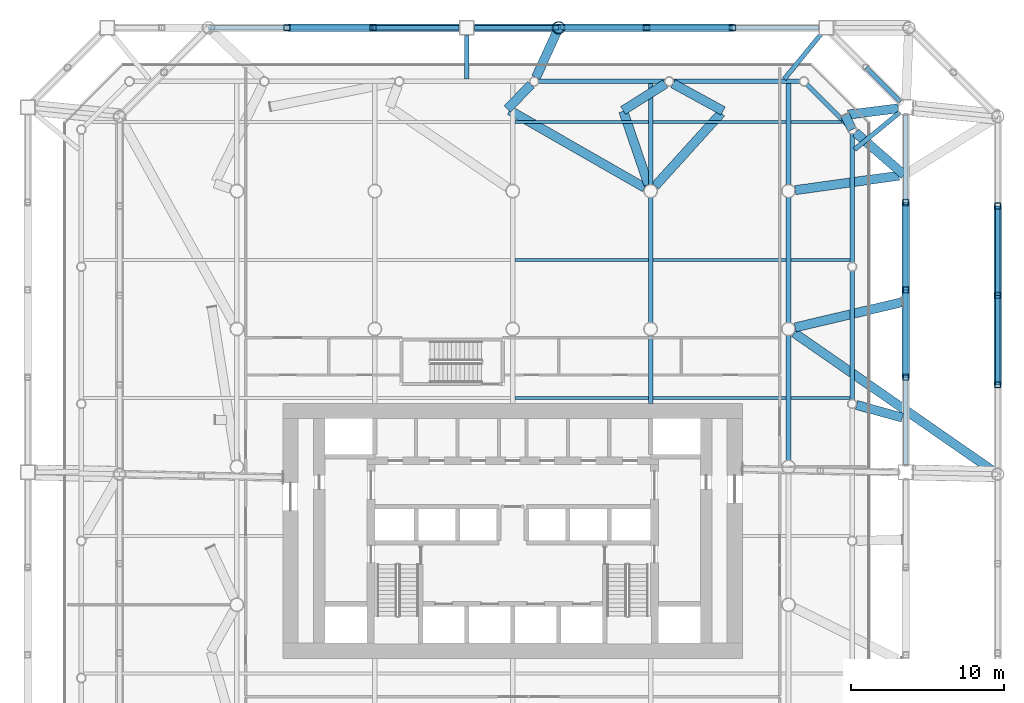
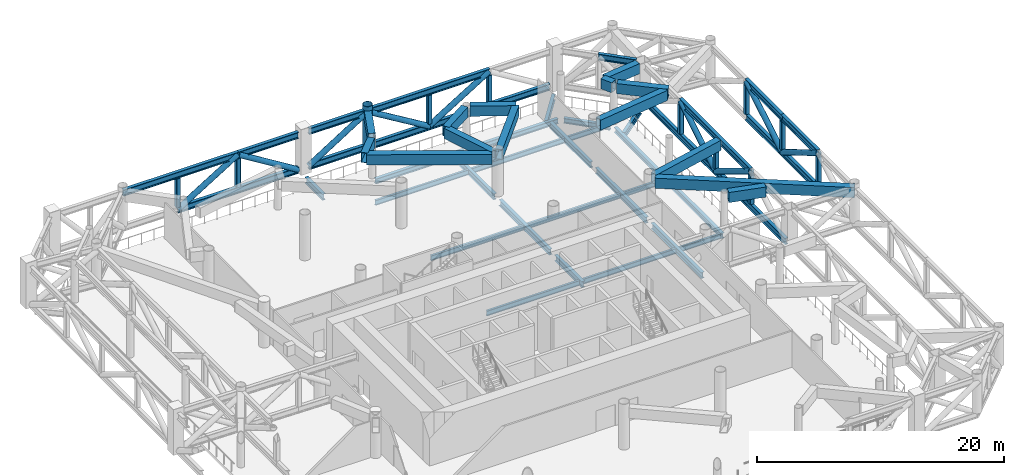
# One storey, part 7 of 22: 52 beams, 20 members.
"""IFC4 building model written with IfcOpenShell, lengths in metres."""

from ifc_helpers import new_model, si_unit, direction, frame, origin, origin_2d, place, context, subcontext, project, spatial, hollow_rectangle, hollow_circle, i_section, extrude, material, material_profile, profile_set, type_object, element, save


model = new_model("IFC4")

# Units and contexts
model_context = context("Model", 3, precision=1e-05, world=origin(), true_north=direction((0.0, 1.0)))
body_context = subcontext(model_context, "Body", "Model", "MODEL_VIEW")
ifc_project = project(units=[si_unit("LENGTHUNIT", "METRE"), si_unit("AREAUNIT", "SQUARE_METRE"), si_unit("VOLUMEUNIT", "CUBIC_METRE"), si_unit("PLANEANGLEUNIT", "RADIAN"), si_unit("MASSUNIT", "GRAM", prefix="KILO")], contexts=[model_context])

# Site, building, storey
site_placement = place(None, origin())
site = spatial("IfcSite", under=ifc_project, at=site_placement, CompositionType="ELEMENT")
building_placement = place(site_placement, origin())
building = spatial("IfcBuilding", under=site, at=building_placement, Name="Tskaro Facet Tower", CompositionType="ELEMENT")
storey_placement = place(building_placement, frame((0.0, 0.0, 57.60009765625)))
storey = spatial("IfcBuildingStorey", under=building, at=storey_placement, Name="L13", CompositionType="ELEMENT", Elevation=57.60009765625)

# Beams
ifc_material_1 = material(Name="Steel S355J2", Category="steel")
ifc_material_profile_1 = material_profile(ifc_material_1, hollow_rectangle(XDim=0.60009765625, YDim=1.0, WallThickness=0.0400390625, at=origin_2d()), Name="BOX 600x1000x40")
ifc_profile_set_1 = profile_set([ifc_material_profile_1], Name="Steel S355J2")
beam_type_1 = type_object("IfcBeamType", Name="BOX 600x1000x40 transfer girder", PredefinedType="BEAM", material=ifc_profile_set_1)
beam_1_placement = place(storey_placement, frame((21.68994140625, 22.965087890625, 3.579833984375), z_axis=(0.440022667065, -0.897986666086, 0.0), x_axis=(0.897986666086, 0.440022667065, 0.0)))
element("IfcBeam", 1, at=beam_1_placement, inside=storey, type_object=beam_type_1, Name="BOX 600x1000x40 TG2-1", PredefinedType="BEAM", context=body_context, shape_type="SweptSolid", body=[
    extrude(hollow_rectangle(XDim=0.60009765625, YDim=1.0, WallThickness=0.0400390625, at=origin_2d()), origin(), (0.0, 0.0, 1.0), 1.0615234375),
])
beam_2_placement = place(storey_placement, frame((21.888427734375, 22.989990234375, 3.579833984375), z_axis=(0.992219899767, 0.124497672698, 0.0), x_axis=(-0.124497672698, 0.992219899767, 0.0)))
element("IfcBeam", 2, at=beam_2_placement, inside=storey, type_object=beam_type_1, Name="BOX 600x1000x40 TG2-2", PredefinedType="BEAM", context=body_context, shape_type="SweptSolid", body=[
    extrude(hollow_rectangle(XDim=0.60009765625, YDim=1.0, WallThickness=0.0400390625, at=origin_2d()), origin(), (0.0, 0.0, 1.0), 3.31005859375),
])
beam_3_placement = place(storey_placement, frame((-0.353759765625, 23.358642578125, 3.579833984375), z_axis=(0.698581004946, 0.715530977337, 0.0), x_axis=(-0.715530977337, 0.698581004946, 0.0)))
element("IfcBeam", 3, at=beam_3_placement, inside=storey, type_object=beam_type_1, Name="BOX 600x1000x40 TG2-19", PredefinedType="BEAM", context=body_context, shape_type="SweptSolid", body=[
    extrude(hollow_rectangle(XDim=0.60009765625, YDim=1.0, WallThickness=0.0400390625, at=origin_2d()), origin(), (0.0, 0.0, 1.0), 2.21826171875),
])
beam_4_placement = place(storey_placement, frame((-0.197509765625, 23.26904296875, 3.579833984375), z_axis=(0.867708427633, -0.497073520331, 0.0), x_axis=(0.497073520331, 0.867708427633, 0.0)))
element("IfcBeam", 4, at=beam_4_placement, inside=storey, type_object=beam_type_1, Name="BOX 600x1000x40 TG2-20", PredefinedType="BEAM", context=body_context, shape_type="SweptSolid", body=[
    extrude(hollow_rectangle(XDim=0.60009765625, YDim=1.0, WallThickness=0.0400390625, at=origin_2d()), origin(), (0.0, 0.0, 1.0), 10.152587890625),
])
beam_5_placement = place(storey_placement, frame((25.434814453125, 3.2138671875, 3.579833984375), z_axis=(-0.964140528015, 0.265392242236, 0.0), x_axis=(-0.265392242236, -0.964140528015, 0.0)))
element("IfcBeam", 5, at=beam_5_placement, inside=storey, type_object=beam_type_1, Name="BOX 600x1000x40 TG2-24", PredefinedType="BEAM", context=body_context, shape_type="SweptSolid", body=[
    extrude(hollow_rectangle(XDim=0.60009765625, YDim=1.0, WallThickness=0.0400390625, at=origin_2d()), origin(), (0.0, 0.0, 1.0), 3.104736328125),
])
beam_6_placement = place(storey_placement, frame((3.0, 28.658935546875, 3.579833984375), z_axis=(-0.415142828707, -0.909756248548, 0.0), x_axis=(0.909756248548, -0.415142828707, 0.0)))
element("IfcBeam", 6, at=beam_6_placement, inside=storey, type_object=beam_type_1, Name="BOX 600x1000x40 TG2-31", PredefinedType="BEAM", context=body_context, shape_type="SweptSolid", body=[
    extrude(hollow_rectangle(XDim=0.60009765625, YDim=1.0, WallThickness=0.0400390625, at=origin_2d()), origin(), (0.0, 0.0, 1.0), 3.554443359375),
])
beam_7_placement = place(storey_placement, frame((7.202880859375, 23.2587890625, 3.579833984375), z_axis=(0.845357131365, 0.534201572864, 0.0), x_axis=(-0.534201572864, 0.845357131365, 0.0)))
element("IfcBeam", 7, at=beam_7_placement, inside=storey, type_object=beam_type_1, Name="BOX 600x1000x40 TG2-36", PredefinedType="BEAM", context=body_context, shape_type="SweptSolid", body=[
    extrude(hollow_rectangle(XDim=0.60009765625, YDim=1.0, WallThickness=0.0400390625, at=origin_2d()), origin(), (0.0, 0.0, 1.0), 3.258544921875),
])
beam_8_placement = place(storey_placement, frame((7.2158203125, 23.220947265625, 3.579833984375), z_axis=(0.323383649887, -0.946267940377, 0.0), x_axis=(0.946267940377, 0.323383649887, 0.0)))
element("IfcBeam", 8, at=beam_8_placement, inside=storey, type_object=beam_type_1, Name="BOX 600x1000x40 TG2-37", PredefinedType="BEAM", context=body_context, shape_type="SweptSolid", body=[
    extrude(hollow_rectangle(XDim=0.60009765625, YDim=1.0, WallThickness=0.0400390625, at=origin_2d()), origin(), (0.0, 0.0, 1.0), 5.0703125),
])
beam_9_placement = place(storey_placement, frame((25.4296875, 10.752685546875, 3.579833984375), z_axis=(-0.973287805275, -0.229588431989, 0.0), x_axis=(0.229588431989, -0.973287805275, 0.0)))
element("IfcBeam", 9, at=beam_9_placement, inside=storey, type_object=beam_type_1, Name="BOX 600x1000x40 TG2-38", PredefinedType="BEAM", context=body_context, shape_type="SweptSolid", body=[
    extrude(hollow_rectangle(XDim=0.60009765625, YDim=1.0, WallThickness=0.0400390625, at=origin_2d()), origin(), (0.0, 0.0, 1.0), 7.186279296875),
])
beam_10_placement = place(storey_placement, frame((13.7314453125, 23.22900390625, 3.579833984375), z_axis=(-0.87731591144, 0.479913316687, 0.0), x_axis=(-0.479913316687, -0.87731591144, 0.0)))
element("IfcBeam", 10, at=beam_10_placement, inside=storey, type_object=beam_type_1, Name="BOX 600x1000x40 TG2-40", PredefinedType="BEAM", context=body_context, shape_type="SweptSolid", body=[
    extrude(hollow_rectangle(XDim=0.60009765625, YDim=1.0, WallThickness=0.0400390625, at=origin_2d()), origin(), (0.0, 0.0, 1.0), 3.722412109375),
])
beam_11_placement = place(storey_placement, frame((13.610595703125, 23.095458984375, 3.579833984375), z_axis=(-0.670942179433, -0.741509670779, 0.0), x_axis=(0.741509670779, -0.670942179433, 0.0)))
element("IfcBeam", 11, at=beam_11_placement, inside=storey, type_object=beam_type_1, Name="BOX 600x1000x40 TG2-41", PredefinedType="BEAM", context=body_context, shape_type="SweptSolid", body=[
    extrude(hollow_rectangle(XDim=0.60009765625, YDim=1.0, WallThickness=0.0400390625, at=origin_2d()), origin(), (0.0, 0.0, 1.0), 6.424560546875),
])
beam_12_placement = place(storey_placement, frame((25.550537109375, 19.051513671875, 3.579833984375), z_axis=(-0.753535426325, 0.657407302419, 0.0), x_axis=(-0.657407302419, -0.753535426325, 0.0)))
element("IfcBeam", 12, at=beam_12_placement, inside=storey, type_object=beam_type_1, Name="BOX 600x1000x40 TG2-44", PredefinedType="BEAM", context=body_context, shape_type="SweptSolid", body=[
    extrude(hollow_rectangle(XDim=0.60009765625, YDim=1.0, WallThickness=0.0400390625, at=origin_2d()), origin(), (0.0, 0.0, 1.0), 4.208251953125),
])
beam_13_placement = place(storey_placement, frame((25.2138671875, 19.004638671875, 3.579833984375), z_axis=(-0.990443278533, -0.137920672882, 0.0), x_axis=(0.137920672882, -0.990443278533, 0.0)))
element("IfcBeam", 13, at=beam_13_placement, inside=storey, type_object=beam_type_1, Name="BOX 600x1000x40 TG2-45", PredefinedType="BEAM", context=body_context, shape_type="SweptSolid", body=[
    extrude(hollow_rectangle(XDim=0.60009765625, YDim=1.0, WallThickness=0.0400390625, at=origin_2d()), origin(), (0.0, 0.0, 1.0), 6.83642578125),
])
beam_14_placement = place(storey_placement, frame((31.658935546875, -0.47802734375, 3.579833984375), z_axis=(-0.821574554104, 0.570101089324, 0.0), x_axis=(-0.570101089324, -0.821574554104, 0.0)))
element("IfcBeam", 14, at=beam_14_placement, inside=storey, type_object=beam_type_1, Name="BOX 600x1000x40 TG2-49", PredefinedType="BEAM", context=body_context, shape_type="SweptSolid", body=[
    extrude(hollow_rectangle(XDim=0.60009765625, YDim=1.0, WallThickness=0.0400390625, at=origin_2d()), origin(), (0.0, 0.0, 1.0), 16.177978515625),
])

# Members
ifc_material_2 = material(Name="Steel S355J2H", Category="steel")
ifc_material_profile_2 = material_profile(ifc_material_2, hollow_circle(Radius=0.25390625, WallThickness=0.02490234375, at=origin_2d()), Name="CHS 508x25")
ifc_profile_set_2 = profile_set([ifc_material_profile_2], Name="Steel S355J2H")
member_type_1 = type_object("IfcMemberType", Name="CHS 508x25 belt diagonal", PredefinedType="BRACE", material=ifc_profile_set_2)
for number, where, z_axis, x_axis, name in (
    (15, (25.658935546875, 5.84716796875, 3.77001953125), (0.0, 0.855036102786, -0.51856847468), (-1.0, 0.0, 0.0), "CHS 508x25 BD1-052"),
    (16, (25.658935546875, 11.552490234375, 0.309814453125), (0.0, 0.855036102786, 0.51856847468), (-1.0, 0.0, 0.0), "CHS 508x25 BD1-053"),
):
    element("IfcMember", number, at=place(storey_placement, frame(where, z_axis=z_axis, x_axis=x_axis)), inside=storey, type_object=member_type_1, Name=name, PredefinedType="BRACE", context=body_context, shape_type="SweptSolid", body=[
        extrude(hollow_circle(Radius=0.25390625, WallThickness=0.02490234375, at=origin_2d()), origin(), (0.0, 0.0, 1.0), 6.672607421875),
    ])
member_1_placement = place(storey_placement, frame((14.34716796875, 28.658935546875, 3.77001953125), z_axis=(-0.85136208059, 0.0, -0.524578504834), x_axis=(0.0, -1.0, 0.0)))
element("IfcMember", 17, at=member_1_placement, inside=storey, type_object=member_type_1, Name="CHS 508x25 BD1-072", PredefinedType="BRACE", context=body_context, shape_type="SweptSolid", body=[
    extrude(hollow_circle(Radius=0.25390625, WallThickness=0.02490234375, at=origin_2d()), origin(), (0.0, 0.0, 1.0), 6.59619140625),
])
member_2_placement = place(storey_placement, frame((8.7314453125, 28.658935546875, 0.309814453125), z_axis=(-0.856083624473, 0.0, 0.516837332155), x_axis=(0.0, -1.0, 0.0)))
element("IfcMember", 18, at=member_2_placement, inside=storey, type_object=member_type_1, Name="CHS 508x25 BD1-073", PredefinedType="BRACE", context=body_context, shape_type="SweptSolid", body=[
    extrude(hollow_circle(Radius=0.25390625, WallThickness=0.02490234375, at=origin_2d()), origin(), (0.0, 0.0, 1.0), 6.695068359375),
])
member_3_placement = place(storey_placement, frame((3.0, 28.658935546875, 3.77001953125), z_axis=(-0.846424152219, 0.0, -0.532509299956), x_axis=(0.0, -1.0, 0.0)))
element("IfcMember", 19, at=member_3_placement, inside=storey, type_object=member_type_1, Name="CHS 508x25 BD1-074", PredefinedType="BRACE", context=body_context, shape_type="SweptSolid", body=[
    extrude(hollow_circle(Radius=0.25390625, WallThickness=0.02490234375, at=origin_2d()), origin(), (0.0, 0.0, 1.0), 6.497802734375),
])
for number, where, z_axis, x_axis, name in (
    (20, (-3.5, 28.658935546875, 0.309814453125), (-0.85136208059, 0.0, 0.524578504834), (0.0, -1.0, 0.0), "CHS 508x25 BD1-081"),
    (21, (-9.11572265625, 28.658935546875, 3.77001953125), (-0.85136208059, 0.0, -0.524578504834), (0.0, -1.0, 0.0), "CHS 508x25 BD1-082"),
):
    element("IfcMember", number, at=place(storey_placement, frame(where, z_axis=z_axis, x_axis=x_axis)), inside=storey, type_object=member_type_1, Name=name, PredefinedType="BRACE", context=body_context, shape_type="SweptSolid", body=[
        extrude(hollow_circle(Radius=0.25390625, WallThickness=0.02490234375, at=origin_2d()), origin(), (0.0, 0.0, 1.0), 6.59619140625),
    ])
for number, where, z_axis, x_axis, name in (
    (22, (31.658935546875, 5.356201171875, 3.77001953125), (0.0, 0.860104974489, -0.510117077601), (-1.0, 0.0, 0.0), "CHS 508x25 TB1-05-D2"),
    (23, (31.658935546875, 11.1904296875, 0.309814453125), (0.0, 0.860104974489, 0.510117077601), (-1.0, 0.0, 0.0), "CHS 508x25 TB1-05-D3"),
):
    element("IfcMember", number, at=place(storey_placement, frame(where, z_axis=z_axis, x_axis=x_axis)), inside=storey, type_object=member_type_1, Name=name, PredefinedType="BRACE", context=body_context, shape_type="SweptSolid", body=[
        extrude(hollow_circle(Radius=0.25390625, WallThickness=0.02490234375, at=origin_2d()), origin(), (0.0, 0.0, 1.0), 6.783203125),
    ])
ifc_material_profile_3 = material_profile(ifc_material_2, hollow_circle(Radius=0.406494140625, WallThickness=0.035888671875, at=origin_2d()), Name="CHS 812.8x36")
ifc_profile_set_3 = profile_set([ifc_material_profile_3], Name="Steel S355J2H")
member_type_2 = type_object("IfcMemberType", Name="CHS 812.8x36 transfer node post", PredefinedType="POST", material=ifc_profile_set_3)
member_4_placement = place(storey_placement, frame((3.0, 28.658935546875, 0.619873046875), z_axis=(0.0, 0.0, 1.0), x_axis=(1.0, 0.0, 0.0)))
element("IfcMember", 24, at=member_4_placement, inside=storey, type_object=member_type_2, Name="CHS 812.8x36 TN1-08", PredefinedType="POST", context=body_context, shape_type="SweptSolid", body=[
    extrude(hollow_circle(Radius=0.406494140625, WallThickness=0.035888671875, at=origin_2d()), origin(), (0.0, 0.0, 1.0), 3.880126953125),
])

# Beams
ifc_material_profile_4 = material_profile(ifc_material_1, i_section(OverallWidth=0.300048828125, OverallDepth=0.5, WebThickness=0.014404296875, FlangeThickness=0.028076171875, FilletRadius=0.027099609375, at=origin_2d()), Name="HE 500 B")
ifc_profile_set_4 = profile_set([ifc_material_profile_4], Name="Steel S355J2")
beam_type_2 = type_object("IfcBeamType", Name="HE 500 B ring beam", PredefinedType="BEAM", material=ifc_profile_set_4)
for number, where, z_axis, x_axis, name in (
    (25, (22.156982421875, 4.39111328125, -0.5), (0.0, 1.0, 0.0), (-1.0, 0.0, 0.0), "HE 500 B EB11-1"),
    (26, (22.156982421875, 13.339111328125, -0.5), (0.0, 1.0, 0.0), (-1.0, 0.0, 0.0), "HE 500 B EB12-1"),
):
    element("IfcBeam", number, at=place(storey_placement, frame(where, z_axis=z_axis, x_axis=x_axis)), inside=storey, type_object=beam_type_2, Name=name, PredefinedType="BEAM", context=body_context, shape_type="SweptSolid", body=[
        extrude(i_section(OverallWidth=0.300048828125, OverallDepth=0.5, WebThickness=0.014404296875, FlangeThickness=0.028076171875, FilletRadius=0.027099609375, at=origin_2d()), origin(), (0.0, 0.0, 1.0), 8.39794921875),
    ])
beam_15_placement = place(storey_placement, frame((21.962646484375, 22.20654296875, -0.5), z_axis=(-0.707106781187, 0.707106781187, 0.0), x_axis=(-0.707106781187, -0.707106781187, 0.0)))
element("IfcBeam", 27, at=beam_15_placement, inside=storey, type_object=beam_type_2, Name="HE 500 B EB13-1", PredefinedType="BEAM", context=body_context, shape_type="SweptSolid", body=[
    extrude(i_section(OverallWidth=0.300048828125, OverallDepth=0.5, WebThickness=0.014404296875, FlangeThickness=0.028076171875, FilletRadius=0.027099609375, at=origin_2d()), origin(), (0.0, 0.0, 1.0), 3.897705078125),
])
beam_16_placement = place(storey_placement, frame((18.737060546875, 25.156982421875, -0.5), z_axis=(-1.0, 0.0, 0.0), x_axis=(0.0, -1.0, 0.0)))
element("IfcBeam", 28, at=beam_16_placement, inside=storey, type_object=beam_type_2, Name="HE 500 B EB14-1", PredefinedType="BEAM", context=body_context, shape_type="SweptSolid", body=[
    extrude(i_section(OverallWidth=0.300048828125, OverallDepth=0.5, WebThickness=0.014404296875, FlangeThickness=0.028076171875, FilletRadius=0.027099609375, at=origin_2d()), origin(), (0.0, 0.0, 1.0), 8.255126953125),
])
beam_17_placement = place(storey_placement, frame((9.931884765625, 25.156982421875, -0.5), z_axis=(-1.0, 0.0, 0.0), x_axis=(0.0, -1.0, 0.0)))
element("IfcBeam", 29, at=beam_17_placement, inside=storey, type_object=beam_type_2, Name="HE 500 B EB15-1", PredefinedType="BEAM", context=body_context, shape_type="SweptSolid", body=[
    extrude(i_section(OverallWidth=0.300048828125, OverallDepth=0.5, WebThickness=0.014404296875, FlangeThickness=0.028076171875, FilletRadius=0.027099609375, at=origin_2d()), origin(), (0.0, 0.0, 1.0), 8.2548828125),
])
ifc_material_profile_5 = material_profile(ifc_material_1, i_section(OverallWidth=0.300048828125, OverallDepth=0.590087890625, WebThickness=0.012939453125, FlangeThickness=0.02490234375, FilletRadius=0.027099609375, at=origin_2d()), Name="HE 600 A")
ifc_profile_set_5 = profile_set([ifc_material_profile_5], Name="Steel S355J2")
beam_type_3 = type_object("IfcBeamType", Name="HE 600 A girder", PredefinedType="BEAM", material=ifc_profile_set_5)
beam_18_placement = place(storey_placement, frame((9.0, 4.14990234375, -0.545166015625), z_axis=(0.0, 1.0, 0.0), x_axis=(-1.0, 0.0, 0.0)))
element("IfcBeam", 30, at=beam_18_placement, inside=storey, type_object=beam_type_3, Name="HE 600 A GB5-3-1", PredefinedType="BEAM", context=body_context, shape_type="SweptSolid", body=[
    extrude(i_section(OverallWidth=0.300048828125, OverallDepth=0.590087890625, WebThickness=0.012939453125, FlangeThickness=0.02490234375, FilletRadius=0.027099609375, at=origin_2d()), origin(), (0.0, 0.0, 1.0), 4.4228515625),
])
beam_19_placement = place(storey_placement, frame((9.0, 9.42724609375, -0.545166015625), z_axis=(0.0, 1.0, 0.0), x_axis=(-1.0, 0.0, 0.0)))
element("IfcBeam", 31, at=beam_19_placement, inside=storey, type_object=beam_type_3, Name="HE 600 A GB5-4-1", PredefinedType="BEAM", context=body_context, shape_type="SweptSolid", body=[
    extrude(i_section(OverallWidth=0.300048828125, OverallDepth=0.590087890625, WebThickness=0.012939453125, FlangeThickness=0.02490234375, FilletRadius=0.027099609375, at=origin_2d()), origin(), (0.0, 0.0, 1.0), 8.1455078125),
])
beam_20_placement = place(storey_placement, frame((9.0, 18.42724609375, -0.545166015625), z_axis=(0.0, 1.0, 0.0), x_axis=(-1.0, 0.0, 0.0)))
element("IfcBeam", 32, at=beam_20_placement, inside=storey, type_object=beam_type_3, Name="HE 600 A GB5-5-1", PredefinedType="BEAM", context=body_context, shape_type="SweptSolid", body=[
    extrude(i_section(OverallWidth=0.300048828125, OverallDepth=0.590087890625, WebThickness=0.012939453125, FlangeThickness=0.02490234375, FilletRadius=0.027099609375, at=origin_2d()), origin(), (0.0, 0.0, 1.0), 6.579833984375),
])
for number, where, z_axis, x_axis, name in (
    (33, (18.0, 0.42724609375, -0.545166015625), (0.0, 1.0, 0.0), (-1.0, 0.0, 0.0), "HE 600 A GB6-4-1"),
    (34, (18.0, 9.42724609375, -0.545166015625), (0.0, 1.0, 0.0), (-1.0, 0.0, 0.0), "HE 600 A GB6-5-1"),
):
    element("IfcBeam", number, at=place(storey_placement, frame(where, z_axis=z_axis, x_axis=x_axis)), inside=storey, type_object=beam_type_3, Name=name, PredefinedType="BEAM", context=body_context, shape_type="SweptSolid", body=[
        extrude(i_section(OverallWidth=0.300048828125, OverallDepth=0.590087890625, WebThickness=0.012939453125, FlangeThickness=0.02490234375, FilletRadius=0.027099609375, at=origin_2d()), origin(), (0.0, 0.0, 1.0), 8.1455078125),
    ])
beam_21_placement = place(storey_placement, frame((18.0, 18.42724609375, -0.545166015625), z_axis=(0.0, 1.0, 0.0), x_axis=(-1.0, 0.0, 0.0)))
element("IfcBeam", 35, at=beam_21_placement, inside=storey, type_object=beam_type_3, Name="HE 600 A GB6-6-1", PredefinedType="BEAM", context=body_context, shape_type="SweptSolid", body=[
    extrude(i_section(OverallWidth=0.300048828125, OverallDepth=0.590087890625, WebThickness=0.012939453125, FlangeThickness=0.02490234375, FilletRadius=0.027099609375, at=origin_2d()), origin(), (0.0, 0.0, 1.0), 6.579833984375),
])
ifc_material_profile_6 = material_profile(ifc_material_1, i_section(OverallWidth=0.300048828125, OverallDepth=0.60009765625, WebThickness=0.015380859375, FlangeThickness=0.030029296875, FilletRadius=0.027099609375, at=origin_2d()), Name="HE 600 B")
ifc_profile_set_6 = profile_set([ifc_material_profile_6], Name="Steel S355J2")
beam_type_4 = type_object("IfcBeamType", Name="HE 600 B floor strut", PredefinedType="BEAM", material=ifc_profile_set_6)
beam_22_placement = place(storey_placement, frame((25.2724609375, 23.14599609375, -0.550048828125), z_axis=(-0.773253432615, -0.634097097414, 0.0), x_axis=(0.634097097414, -0.773253432615, 0.0)))
element("IfcBeam", 36, at=beam_22_placement, inside=storey, type_object=beam_type_4, Name="HE 600 B ES1-06", PredefinedType="BEAM", context=body_context, shape_type="SweptSolid", body=[
    extrude(i_section(OverallWidth=0.300048828125, OverallDepth=0.60009765625, WebThickness=0.015380859375, FlangeThickness=0.030029296875, FilletRadius=0.027099609375, at=origin_2d()), origin(), (0.0, 0.0, 1.0), 3.835205078125),
])
beam_23_placement = place(storey_placement, frame((20.146484375, 28.27197265625, -0.550048828125), z_axis=(-0.632939207462, -0.774201498099, 0.0), x_axis=(0.774201498099, -0.632939207462, 0.0)))
element("IfcBeam", 37, at=beam_23_placement, inside=storey, type_object=beam_type_4, Name="HE 600 B ES1-07", PredefinedType="BEAM", context=body_context, shape_type="SweptSolid", body=[
    extrude(i_section(OverallWidth=0.300048828125, OverallDepth=0.60009765625, WebThickness=0.015380859375, FlangeThickness=0.030029296875, FilletRadius=0.027099609375, at=origin_2d()), origin(), (0.0, 0.0, 1.0), 3.829833984375),
])
beam_24_placement = place(storey_placement, frame((-3.0, 28.158935546875, -0.550048828125), z_axis=(0.0, -1.0, 0.0), x_axis=(1.0, 0.0, 0.0)))
element("IfcBeam", 38, at=beam_24_placement, inside=storey, type_object=beam_type_4, Name="HE 600 B ES1-08", PredefinedType="BEAM", context=body_context, shape_type="SweptSolid", body=[
    extrude(i_section(OverallWidth=0.300048828125, OverallDepth=0.60009765625, WebThickness=0.015380859375, FlangeThickness=0.030029296875, FilletRadius=0.027099609375, at=origin_2d()), origin(), (0.0, 0.0, 1.0), 2.85205078125),
])
ifc_material_profile_7 = material_profile(ifc_material_1, i_section(OverallWidth=0.304931640625, OverallDepth=0.6201171875, WebThickness=0.02099609375, FlangeThickness=0.0400390625, FilletRadius=0.027099609375, at=origin_2d()), Name="HE 600 M")
ifc_profile_set_7 = profile_set([ifc_material_profile_7], Name="Steel S355J2")
beam_type_5 = type_object("IfcBeamType", Name="HE 600 M belt chord", PredefinedType="BEAM", material=ifc_profile_set_7)
beam_25_placement = place(storey_placement, frame((25.658935546875, 5.84716796875, 3.77001953125), z_axis=(0.0, 1.0, 0.0), x_axis=(-1.0, 0.0, 0.0)))
element("IfcBeam", 39, at=beam_25_placement, inside=storey, type_object=beam_type_5, Name="HE 600 M BT1-05T2", PredefinedType="BEAM", context=body_context, shape_type="SweptSolid", body=[
    extrude(i_section(OverallWidth=0.304931640625, OverallDepth=0.6201171875, WebThickness=0.02099609375, FlangeThickness=0.0400390625, FilletRadius=0.027099609375, at=origin_2d()), origin(), (0.0, 0.0, 1.0), 11.41064453125),
])
for number, where, z_axis, x_axis, name in (
    (40, (25.658935546875, 0.14208984375, 0.309814453125), (0.0, 1.0, 0.0), (-1.0, 0.0, 0.0), "HE 600 M BT1-05B1"),
    (41, (25.658935546875, 11.552490234375, 0.309814453125), (0.0, 1.0, 0.0), (-1.0, 0.0, 0.0), "HE 600 M BT1-05B2"),
):
    element("IfcBeam", number, at=place(storey_placement, frame(where, z_axis=z_axis, x_axis=x_axis)), inside=storey, type_object=beam_type_5, Name=name, PredefinedType="BEAM", context=body_context, shape_type="SweptSolid", body=[
        extrude(i_section(OverallWidth=0.304931640625, OverallDepth=0.6201171875, WebThickness=0.02099609375, FlangeThickness=0.0400390625, FilletRadius=0.027099609375, at=origin_2d()), origin(), (0.0, 0.0, 1.0), 11.410400390625),
    ])
beam_26_placement = place(storey_placement, frame((25.305419921875, 23.816650390625, 3.77001953125), z_axis=(-0.707106781187, 0.707106781187, 0.0), x_axis=(-0.707106781187, -0.707106781187, 0.0)))
element("IfcBeam", 42, at=beam_26_placement, inside=storey, type_object=beam_type_5, Name="HE 600 M BT1-06T1", PredefinedType="BEAM", context=body_context, shape_type="SweptSolid", body=[
    extrude(i_section(OverallWidth=0.304931640625, OverallDepth=0.6201171875, WebThickness=0.02099609375, FlangeThickness=0.0400390625, FilletRadius=0.027099609375, at=origin_2d()), origin(), (0.0, 0.0, 1.0), 3.174072265625),
])
beam_27_placement = place(storey_placement, frame((14.34716796875, 28.658935546875, 3.77001953125), z_axis=(-1.0, 0.0, 0.0), x_axis=(0.0, -1.0, 0.0)))
element("IfcBeam", 43, at=beam_27_placement, inside=storey, type_object=beam_type_5, Name="HE 600 M BT1-07T2", PredefinedType="BEAM", context=body_context, shape_type="SweptSolid", body=[
    extrude(i_section(OverallWidth=0.304931640625, OverallDepth=0.6201171875, WebThickness=0.02099609375, FlangeThickness=0.0400390625, FilletRadius=0.027099609375, at=origin_2d()), origin(), (0.0, 0.0, 1.0), 11.34716796875),
])
beam_28_placement = place(storey_placement, frame((3.0, 28.658935546875, 3.77001953125), z_axis=(-1.0, 0.0, 0.0), x_axis=(0.0, -1.0, 0.0)))
element("IfcBeam", 44, at=beam_28_placement, inside=storey, type_object=beam_type_5, Name="HE 600 M BT1-07T3", PredefinedType="BEAM", context=body_context, shape_type="SweptSolid", body=[
    extrude(i_section(OverallWidth=0.304931640625, OverallDepth=0.6201171875, WebThickness=0.02099609375, FlangeThickness=0.0400390625, FilletRadius=0.027099609375, at=origin_2d()), origin(), (0.0, 0.0, 1.0), 5.5),
])
for number, where, z_axis, x_axis, name in (
    (45, (19.962890625, 28.658935546875, 0.309814453125), (-1.0, 0.0, 0.0), (0.0, -1.0, 0.0), "HE 600 M BT1-07B1"),
    (46, (8.7314453125, 28.658935546875, 0.309814453125), (-1.0, 0.0, 0.0), (0.0, -1.0, 0.0), "HE 600 M BT1-07B2"),
):
    element("IfcBeam", number, at=place(storey_placement, frame(where, z_axis=z_axis, x_axis=x_axis)), inside=storey, type_object=beam_type_5, Name=name, PredefinedType="BEAM", context=body_context, shape_type="SweptSolid", body=[
        extrude(i_section(OverallWidth=0.304931640625, OverallDepth=0.6201171875, WebThickness=0.02099609375, FlangeThickness=0.0400390625, FilletRadius=0.027099609375, at=origin_2d()), origin(), (0.0, 0.0, 1.0), 11.2314453125),
    ])
beam_29_placement = place(storey_placement, frame((-3.5, 28.658935546875, 3.77001953125), z_axis=(-1.0, 0.0, 0.0), x_axis=(0.0, -1.0, 0.0)))
element("IfcBeam", 47, at=beam_29_placement, inside=storey, type_object=beam_type_5, Name="HE 600 M BT1-08T1", PredefinedType="BEAM", context=body_context, shape_type="SweptSolid", body=[
    extrude(i_section(OverallWidth=0.304931640625, OverallDepth=0.6201171875, WebThickness=0.02099609375, FlangeThickness=0.0400390625, FilletRadius=0.027099609375, at=origin_2d()), origin(), (0.0, 0.0, 1.0), 5.61572265625),
])
beam_30_placement = place(storey_placement, frame((-9.11572265625, 28.658935546875, 3.77001953125), z_axis=(-1.0, 0.0, 0.0), x_axis=(0.0, -1.0, 0.0)))
element("IfcBeam", 48, at=beam_30_placement, inside=storey, type_object=beam_type_5, Name="HE 600 M BT1-08T2", PredefinedType="BEAM", context=body_context, shape_type="SweptSolid", body=[
    extrude(i_section(OverallWidth=0.304931640625, OverallDepth=0.6201171875, WebThickness=0.02099609375, FlangeThickness=0.0400390625, FilletRadius=0.027099609375, at=origin_2d()), origin(), (0.0, 0.0, 1.0), 10.7431640625),
])
beam_31_placement = place(storey_placement, frame((-3.5, 28.658935546875, 0.309814453125), z_axis=(-1.0, 0.0, 0.0), x_axis=(0.0, -1.0, 0.0)))
element("IfcBeam", 49, at=beam_31_placement, inside=storey, type_object=beam_type_5, Name="HE 600 M BT1-08B1", PredefinedType="BEAM", context=body_context, shape_type="SweptSolid", body=[
    extrude(i_section(OverallWidth=0.304931640625, OverallDepth=0.6201171875, WebThickness=0.02099609375, FlangeThickness=0.0400390625, FilletRadius=0.027099609375, at=origin_2d()), origin(), (0.0, 0.0, 1.0), 11.2314453125),
])
for number, where, z_axis, x_axis, name in (
    (50, (31.658935546875, 5.356201171875, 3.77001953125), (0.0, 1.0, 0.0), (-1.0, 0.0, 0.0), "HE 600 M TB1-05-T2"),
    (51, (31.658935546875, 5.356201171875, 0.309814453125), (0.0, 1.0, 0.0), (-1.0, 0.0, 0.0), "HE 600 M TB1-05-B2"),
    (52, (31.658935546875, 11.1904296875, 3.77001953125), (0.0, 1.0, 0.0), (-1.0, 0.0, 0.0), "HE 600 M TB1-05-T3"),
    (53, (31.658935546875, 11.1904296875, 0.309814453125), (0.0, 1.0, 0.0), (-1.0, 0.0, 0.0), "HE 600 M TB1-05-B3"),
):
    element("IfcBeam", number, at=place(storey_placement, frame(where, z_axis=z_axis, x_axis=x_axis)), inside=storey, type_object=beam_type_5, Name=name, PredefinedType="BEAM", context=body_context, shape_type="SweptSolid", body=[
        extrude(i_section(OverallWidth=0.304931640625, OverallDepth=0.6201171875, WebThickness=0.02099609375, FlangeThickness=0.0400390625, FilletRadius=0.027099609375, at=origin_2d()), origin(), (0.0, 0.0, 1.0), 5.834228515625),
    ])
ifc_material_profile_8 = material_profile(ifc_material_1, i_section(OverallWidth=0.199951171875, OverallDepth=0.5, WebThickness=0.01025390625, FlangeThickness=0.01611328125, FilletRadius=0.02099609375, at=origin_2d()), Name="IPE 500")
ifc_profile_set_8 = profile_set([ifc_material_profile_8], Name="Steel S355J2")
beam_type_6 = type_object("IfcBeamType", Name="IPE 500 secondary beam", PredefinedType="BEAM", material=ifc_profile_set_8)
for number, where, z_axis, x_axis, name in (
    (54, (0.14990234375, 4.5, -0.5), (1.0, 0.0, 0.0), (0.0, 1.0, 0.0), "IPE 500 SB4a-4-1"),
    (55, (9.14990234375, 4.5, -0.5), (1.0, 0.0, 0.0), (0.0, 1.0, 0.0), "IPE 500 SB4a-5-1"),
):
    element("IfcBeam", number, at=place(storey_placement, frame(where, z_axis=z_axis, x_axis=x_axis)), inside=storey, type_object=beam_type_6, Name=name, PredefinedType="BEAM", context=body_context, shape_type="SweptSolid", body=[
        extrude(i_section(OverallWidth=0.199951171875, OverallDepth=0.5, WebThickness=0.01025390625, FlangeThickness=0.01611328125, FilletRadius=0.02099609375, at=origin_2d()), origin(), (0.0, 0.0, 1.0), 8.7001953125),
    ])
beam_32_placement = place(storey_placement, frame((18.14990234375, 4.5, -0.5), z_axis=(1.0, 0.0, 0.0), x_axis=(0.0, 1.0, 0.0)))
element("IfcBeam", 56, at=beam_32_placement, inside=storey, type_object=beam_type_6, Name="IPE 500 SB4a-6-1", PredefinedType="BEAM", context=body_context, shape_type="SweptSolid", body=[
    extrude(i_section(OverallWidth=0.199951171875, OverallDepth=0.5, WebThickness=0.01025390625, FlangeThickness=0.01611328125, FilletRadius=0.02099609375, at=origin_2d()), origin(), (0.0, 0.0, 1.0), 3.857177734375),
])
for number, where, z_axis, x_axis, name in (
    (57, (0.14990234375, 13.5, -0.5), (1.0, 0.0, 0.0), (0.0, 1.0, 0.0), "IPE 500 SB5a-4-1"),
    (58, (9.14990234375, 13.5, -0.5), (1.0, 0.0, 0.0), (0.0, 1.0, 0.0), "IPE 500 SB5a-5-1"),
):
    element("IfcBeam", number, at=place(storey_placement, frame(where, z_axis=z_axis, x_axis=x_axis)), inside=storey, type_object=beam_type_6, Name=name, PredefinedType="BEAM", context=body_context, shape_type="SweptSolid", body=[
        extrude(i_section(OverallWidth=0.199951171875, OverallDepth=0.5, WebThickness=0.01025390625, FlangeThickness=0.01611328125, FilletRadius=0.02099609375, at=origin_2d()), origin(), (0.0, 0.0, 1.0), 8.7001953125),
    ])
beam_33_placement = place(storey_placement, frame((18.14990234375, 13.5, -0.5), z_axis=(1.0, 0.0, 0.0), x_axis=(0.0, 1.0, 0.0)))
element("IfcBeam", 59, at=beam_33_placement, inside=storey, type_object=beam_type_6, Name="IPE 500 SB5a-6-1", PredefinedType="BEAM", context=body_context, shape_type="SweptSolid", body=[
    extrude(i_section(OverallWidth=0.199951171875, OverallDepth=0.5, WebThickness=0.01025390625, FlangeThickness=0.01611328125, FilletRadius=0.02099609375, at=origin_2d()), origin(), (0.0, 0.0, 1.0), 3.857177734375),
])
for number, where, z_axis, x_axis, name in (
    (60, (0.14990234375, 22.5, -0.5), (1.0, 0.0, 0.0), (0.0, 1.0, 0.0), "IPE 500 SB6a-4-1"),
    (61, (9.14990234375, 22.5, -0.5), (1.0, 0.0, 0.0), (0.0, 1.0, 0.0), "IPE 500 SB6a-5-1"),
):
    element("IfcBeam", number, at=place(storey_placement, frame(where, z_axis=z_axis, x_axis=x_axis)), inside=storey, type_object=beam_type_6, Name=name, PredefinedType="BEAM", context=body_context, shape_type="SweptSolid", body=[
        extrude(i_section(OverallWidth=0.199951171875, OverallDepth=0.5, WebThickness=0.01025390625, FlangeThickness=0.01611328125, FilletRadius=0.02099609375, at=origin_2d()), origin(), (0.0, 0.0, 1.0), 8.7001953125),
    ])
beam_34_placement = place(storey_placement, frame((18.14990234375, 22.5, -0.5), z_axis=(1.0, 0.0, 0.0), x_axis=(0.0, 1.0, 0.0)))
element("IfcBeam", 62, at=beam_34_placement, inside=storey, type_object=beam_type_6, Name="IPE 500 SB6a-6-1", PredefinedType="BEAM", context=body_context, shape_type="SweptSolid", body=[
    extrude(i_section(OverallWidth=0.199951171875, OverallDepth=0.5, WebThickness=0.01025390625, FlangeThickness=0.01611328125, FilletRadius=0.02099609375, at=origin_2d()), origin(), (0.0, 0.0, 1.0), 3.30712890625),
])

# Members
ifc_material_profile_9 = material_profile(ifc_material_2, hollow_rectangle(XDim=0.39990234375, YDim=0.39990234375, WallThickness=0.02490234375, InnerFilletRadius=0.03759765625, OuterFilletRadius=0.0625, at=origin_2d()), Name="SHS 400x400x25")
ifc_profile_set_9 = profile_set([ifc_material_profile_9], Name="Steel S355J2H")
member_type_3 = type_object("IfcMemberType", Name="SHS 400x400x25 belt post", PredefinedType="POST", material=ifc_profile_set_9)
for number, where, z_axis, x_axis, name in (
    (63, (25.658935546875, 5.84716796875, 0.619873046875), (0.0, 0.0, 1.0), (1.0, 0.0, 0.0), "SHS 400x400x25 BP1-051"),
    (64, (25.658935546875, 11.552490234375, 0.619873046875), (0.0, 0.0, 1.0), (1.0, 0.0, 0.0), "SHS 400x400x25 BP1-052"),
    (65, (25.658935546875, 17.2578125, 0.619873046875), (0.0, 0.0, 1.0), (1.0, 0.0, 0.0), "SHS 400x400x25 BP1-053"),
    (66, (14.34716796875, 28.658935546875, 0.619873046875), (0.0, 0.0, 1.0), (1.0, 0.0, 0.0), "SHS 400x400x25 BP1-071"),
    (67, (8.7314453125, 28.658935546875, 0.619873046875), (0.0, 0.0, 1.0), (1.0, 0.0, 0.0), "SHS 400x400x25 BP1-072"),
    (68, (-9.11572265625, 28.658935546875, 0.619873046875), (0.0, 0.0, 1.0), (1.0, 0.0, 0.0), "SHS 400x400x25 BP1-081"),
    (69, (-14.7314453125, 28.658935546875, 0.619873046875), (0.0, 0.0, 1.0), (1.0, 0.0, 0.0), "SHS 400x400x25 BP1-082"),
    (70, (31.658935546875, 5.356201171875, 0.619873046875), (0.0, 0.0, 1.0), (1.0, 0.0, 0.0), "SHS 400x400x25 TB1-05-P1"),
    (71, (31.658935546875, 11.1904296875, 0.619873046875), (0.0, 0.0, 1.0), (1.0, 0.0, 0.0), "SHS 400x400x25 TB1-05-P2"),
    (72, (31.658935546875, 17.024658203125, 0.619873046875), (0.0, 0.0, 1.0), (1.0, 0.0, 0.0), "SHS 400x400x25 TB1-05-P3"),
):
    element("IfcMember", number, at=place(storey_placement, frame(where, z_axis=z_axis, x_axis=x_axis)), inside=storey, type_object=member_type_3, Name=name, PredefinedType="POST", context=body_context, shape_type="SweptSolid", body=[
        extrude(hollow_rectangle(XDim=0.39990234375, YDim=0.39990234375, WallThickness=0.02490234375, InnerFilletRadius=0.03759765625, OuterFilletRadius=0.0625, at=origin_2d()), origin(), (0.0, 0.0, 1.0), 2.840087890625),
    ])

save(model, "model.ifc")
